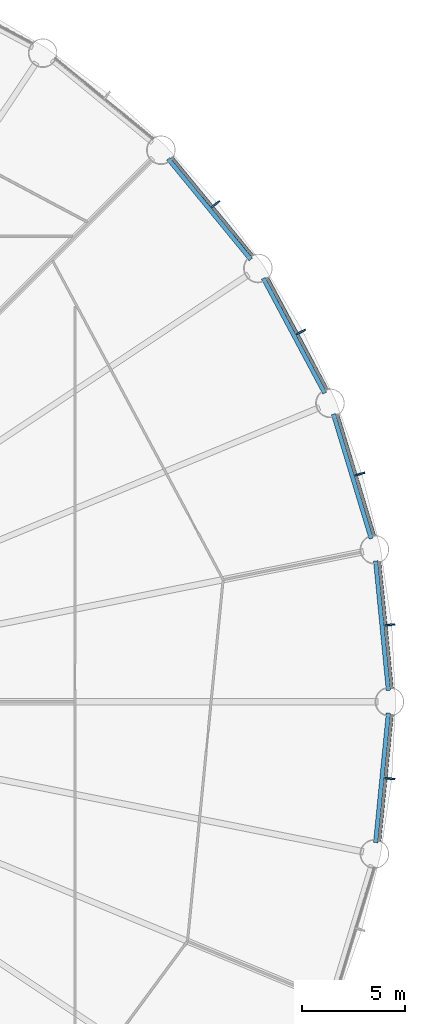
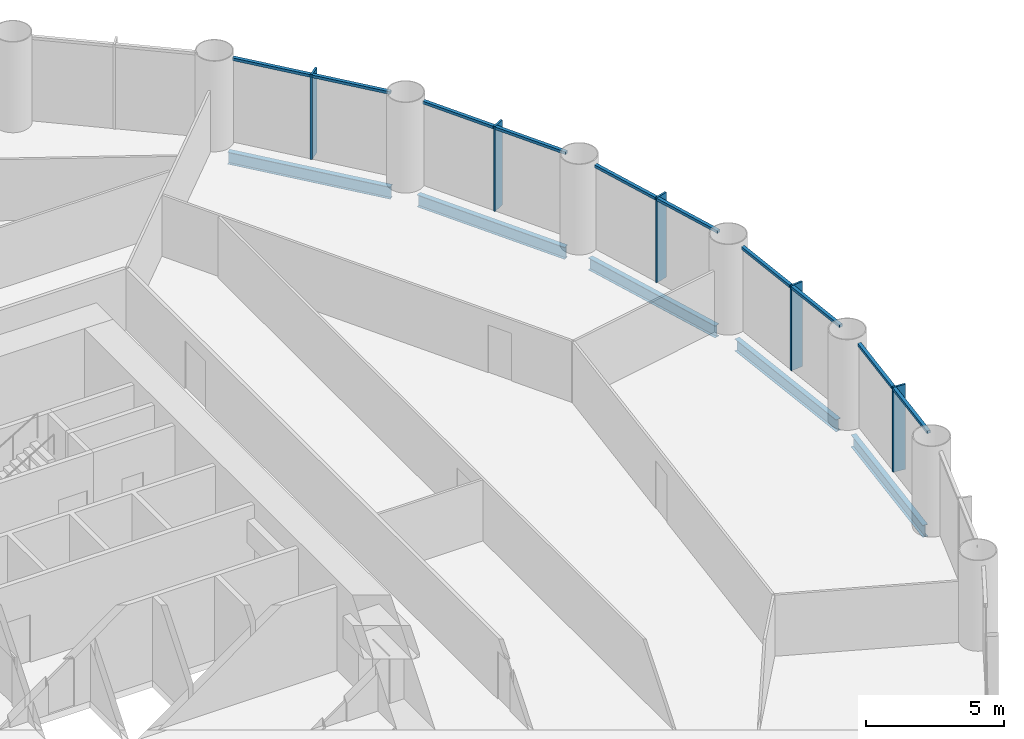
# One storey, part 6 of 15: 15 members, 5 beams, 5 elements without a shape of their own.
"""IFC4 building model written with IfcOpenShell, lengths in metres."""

from ifc_helpers import new_model, si_unit, direction, frame, origin, origin_2d, place, context, subcontext, project, spatial, rectangle, i_section, extrude, material, material_profile, profile_set, type_object, element, aggregate, save


model = new_model("IFC4")

# Units and contexts
model_context = context("Model", 3, precision=1e-05, world=origin(), true_north=direction((0.0, 1.0)))
body_context = subcontext(model_context, "Body", "Model", "MODEL_VIEW")
ifc_project = project(units=[si_unit("LENGTHUNIT", "METRE"), si_unit("AREAUNIT", "SQUARE_METRE"), si_unit("VOLUMEUNIT", "CUBIC_METRE"), si_unit("PLANEANGLEUNIT", "RADIAN"), si_unit("MASSUNIT", "GRAM", prefix="KILO")], contexts=[model_context])

# Site, building, storey
site_placement = place(None, origin())
site = spatial("IfcSite", under=ifc_project, at=site_placement, CompositionType="ELEMENT")
building_placement = place(site_placement, origin())
building = spatial("IfcBuilding", under=site, at=building_placement, Name="Corvane Civic Tower", CompositionType="ELEMENT")
storey_placement = place(building_placement, frame((0.0, 0.0, 41.0)))
storey = spatial("IfcBuildingStorey", under=building, at=storey_placement, Name="L08", CompositionType="ELEMENT", Elevation=41.0)

# Beams
ifc_material_1 = material(Name="Steel ASTM A992 Gr 50", Category="steel")
ifc_material_profile_1 = material_profile(ifc_material_1, i_section(OverallWidth=0.209228515625, OverallDepth=0.533447265625, WebThickness=0.01025390625, FlangeThickness=0.015625, at=origin_2d()), Name="W21X62")
ifc_profile_set_1 = profile_set([ifc_material_profile_1], Name="Steel ASTM A992 Gr 50")
beam_type = type_object("IfcBeamType", Name="EDGE BEAM W21X62", PredefinedType="BEAM", material=ifc_profile_set_1)
beam_placement = place(storey_placement, frame((27.0068359375, 26.23291015625, -0.566650390625), z_axis=(0.634386787141, -0.773015785286, 0.0), x_axis=(0.773015785286, 0.634386787141, 0.0)))
element("IfcBeam", 1, at=beam_placement, inside=storey, type_object=beam_type, Name="BM-L08-E05", PredefinedType="BEAM", context=body_context, shape_type="SweptSolid", body=[
    extrude(i_section(OverallWidth=0.209228515625, OverallDepth=0.533447265625, WebThickness=0.01025390625, FlangeThickness=0.015625, at=origin_2d()), origin(), (0.0, 0.0, 1.0), 6.290771484375),
])
for number, where, z_axis, x_axis, name in (
    (2, (31.605712890625, 20.4599609375, -0.566650390625), (0.471405897311, -0.881916367906, 0.0), (0.881916367906, 0.471405897311, 0.0), "BM-L08-E06"),
    (3, (34.989990234375, 13.90087890625, -0.566650390625), (0.290273452184, -0.956943740748, 0.0), (0.956943740748, 0.290273452184, 0.0), "BM-L08-E07"),
):
    element("IfcBeam", number, at=place(storey_placement, frame(where, z_axis=z_axis, x_axis=x_axis)), inside=storey, type_object=beam_type, Name=name, PredefinedType="BEAM", context=body_context, shape_type="SweptSolid", body=[
        extrude(i_section(OverallWidth=0.209228515625, OverallDepth=0.533447265625, WebThickness=0.01025390625, FlangeThickness=0.015625, at=origin_2d()), origin(), (0.0, 0.0, 1.0), 6.290283203125),
    ])
for number, where, z_axis, x_axis, name in (
    (4, (37.029541015625, 6.8076171875, -0.566650390625), (0.097997284622, -0.995186682089, 0.0), (0.995186682089, 0.097997284622, 0.0), "BM-L08-E08"),
    (5, (37.64599609375, -0.54736328125, -0.566650390625), (-0.097997284622, -0.995186682089, 0.0), (0.995186682089, -0.097997284622, 0.0), "BM-L08-E09"),
):
    element("IfcBeam", number, at=place(storey_placement, frame(where, z_axis=z_axis, x_axis=x_axis)), inside=storey, type_object=beam_type, Name=name, PredefinedType="BEAM", context=body_context, shape_type="SweptSolid", body=[
        extrude(i_section(OverallWidth=0.209228515625, OverallDepth=0.533447265625, WebThickness=0.01025390625, FlangeThickness=0.015625, at=origin_2d()), origin(), (0.0, 0.0, 1.0), 6.29052734375),
    ])

# Curtain wall, members
ifc_material_2 = material(Name="Anodised aluminium bronze", Category="aluminium")
curtain_wall_type = type_object("IfcCurtainWallType", Name="TOWER CW-T1 STICK CURTAIN WALL", PredefinedType="NOTDEFINED", material=ifc_material_2)
curtain_wall_1_placement = place(storey_placement, origin())
curtain_wall_1 = element("IfcCurtainWall", 6, at=curtain_wall_1_placement, inside=storey, type_object=curtain_wall_type, Name="Curtain wall CW-T1 L08 bay 05", PredefinedType="NOTDEFINED")
ifc_material_3 = material(Name="Anodised aluminium bronze", Category="aluminium")
ifc_material_profile_2 = material_profile(ifc_material_3, rectangle(XDim=0.139892578125, YDim=0.1201171875, at=origin_2d()), Name="TOWER CW-T1 TRANSOM 140x120")
ifc_profile_set_2 = profile_set([ifc_material_profile_2], Name="Anodised aluminium bronze")
member_type_1 = type_object("IfcMemberType", Name="TOWER CW-T1 TRANSOM 140x120", PredefinedType="USERDEFINED", material=ifc_profile_set_2)
member_1_placement = place(storey_placement, frame((27.20654296875, 26.271728515625, 3.68994140625), z_axis=(0.634403652865, -0.773001943873, 0.0), x_axis=(0.773001943873, 0.634403652865, 0.0)))
member_1 = element("IfcMember", 7, at=member_1_placement, type_object=member_type_1, Name="Transom CW-T1 L08 05.1", ObjectType="TRANSOM", PredefinedType="USERDEFINED", context=body_context, shape_type="SweptSolid", body=[
    extrude(rectangle(XDim=0.139892578125, YDim=0.1201171875, at=origin_2d()), origin(), (0.0, 0.0, 1.0), 3.008544921875),
])
member_2_placement = place(storey_placement, frame((29.166015625, 23.88427734375, 3.68994140625), z_axis=(0.634355161466, -0.773041738279, 0.0), x_axis=(0.773041738279, 0.634355161466, 0.0)))
member_2 = element("IfcMember", 8, at=member_2_placement, type_object=member_type_1, Name="Transom CW-T1 L08 05.2", ObjectType="TRANSOM", PredefinedType="USERDEFINED", context=body_context, shape_type="SweptSolid", body=[
    extrude(rectangle(XDim=0.139892578125, YDim=0.1201171875, at=origin_2d()), origin(), (0.0, 0.0, 1.0), 3.008544921875),
])

curtain_wall_2_placement = place(storey_placement, origin())
curtain_wall_2 = element("IfcCurtainWall", 9, at=curtain_wall_2_placement, inside=storey, type_object=curtain_wall_type, Name="Curtain wall CW-T1 L08 bay 06", PredefinedType="NOTDEFINED")
member_3_placement = place(storey_placement, frame((31.809326171875, 20.459228515625, 3.68994140625), z_axis=(0.471392506424, -0.881923525532, 0.0), x_axis=(0.881923525532, 0.471392506424, 0.0)))
member_3 = element("IfcMember", 10, at=member_3_placement, type_object=member_type_1, Name="Transom CW-T1 L08 06.1", ObjectType="TRANSOM", PredefinedType="USERDEFINED", context=body_context, shape_type="SweptSolid", body=[
    extrude(rectangle(XDim=0.139892578125, YDim=0.1201171875, at=origin_2d()), origin(), (0.0, 0.0, 1.0), 3.008544921875),
])
member_4_placement = place(storey_placement, frame((33.26513671875, 17.7353515625, 3.68994140625), z_axis=(0.471392506424, -0.881923525532, 0.0), x_axis=(0.881923525532, 0.471392506424, 0.0)))
member_4 = element("IfcMember", 11, at=member_4_placement, type_object=member_type_1, Name="Transom CW-T1 L08 06.2", ObjectType="TRANSOM", PredefinedType="USERDEFINED", context=body_context, shape_type="SweptSolid", body=[
    extrude(rectangle(XDim=0.139892578125, YDim=0.1201171875, at=origin_2d()), origin(), (0.0, 0.0, 1.0), 3.008544921875),
])

curtain_wall_3_placement = place(storey_placement, origin())
curtain_wall_3 = element("IfcCurtainWall", 12, at=curtain_wall_3_placement, inside=storey, type_object=curtain_wall_type, Name="Curtain wall CW-T1 L08 bay 07", PredefinedType="NOTDEFINED")
member_5_placement = place(storey_placement, frame((35.189453125, 13.8603515625, 3.68994140625), z_axis=(0.290279914268, -0.956941780555, 0.0), x_axis=(0.956941780555, 0.290279914268, 0.0)))
member_5 = element("IfcMember", 13, at=member_5_placement, type_object=member_type_1, Name="Transom CW-T1 L08 07.1", ObjectType="TRANSOM", PredefinedType="USERDEFINED", context=body_context, shape_type="SweptSolid", body=[
    extrude(rectangle(XDim=0.139892578125, YDim=0.1201171875, at=origin_2d()), origin(), (0.0, 0.0, 1.0), 3.008544921875),
])
member_6_placement = place(storey_placement, frame((36.0859375, 10.90478515625, 3.68994140625), z_axis=(0.290279914268, -0.956941780555, 0.0), x_axis=(0.956941780555, 0.290279914268, 0.0)))
member_6 = element("IfcMember", 14, at=member_6_placement, type_object=member_type_1, Name="Transom CW-T1 L08 07.2", ObjectType="TRANSOM", PredefinedType="USERDEFINED", context=body_context, shape_type="SweptSolid", body=[
    extrude(rectangle(XDim=0.139892578125, YDim=0.1201171875, at=origin_2d()), origin(), (0.0, 0.0, 1.0), 3.008544921875),
])

curtain_wall_4_placement = place(storey_placement, origin())
curtain_wall_4 = element("IfcCurtainWall", 15, at=curtain_wall_4_placement, inside=storey, type_object=curtain_wall_type, Name="Curtain wall CW-T1 L08 bay 08", PredefinedType="NOTDEFINED")
member_7_placement = place(storey_placement, frame((37.21728515625, 6.72900390625, 3.68994140625), z_axis=(0.097944923917, -0.995191836722, 0.0), x_axis=(0.995191836722, 0.097944923917, 0.0)))
member_7 = element("IfcMember", 16, at=member_7_placement, type_object=member_type_1, Name="Transom CW-T1 L08 08.1", ObjectType="TRANSOM", PredefinedType="USERDEFINED", context=body_context, shape_type="SweptSolid", body=[
    extrude(rectangle(XDim=0.139892578125, YDim=0.1201171875, at=origin_2d()), origin(), (0.0, 0.0, 1.0), 3.008544921875),
])
member_8_placement = place(storey_placement, frame((37.52001953125, 3.6552734375, 3.68994140625), z_axis=(0.097944923917, -0.995191836722, 0.0), x_axis=(0.995191836722, 0.097944923917, 0.0)))
member_8 = element("IfcMember", 17, at=member_8_placement, type_object=member_type_1, Name="Transom CW-T1 L08 08.2", ObjectType="TRANSOM", PredefinedType="USERDEFINED", context=body_context, shape_type="SweptSolid", body=[
    extrude(rectangle(XDim=0.139892578125, YDim=0.1201171875, at=origin_2d()), origin(), (0.0, 0.0, 1.0), 3.008544921875),
])

curtain_wall_5_placement = place(storey_placement, origin())
curtain_wall_5 = element("IfcCurtainWall", 18, at=curtain_wall_5_placement, inside=storey, type_object=curtain_wall_type, Name="Curtain wall CW-T1 L08 bay 09", PredefinedType="NOTDEFINED")
member_9_placement = place(storey_placement, frame((37.814697265625, -0.6611328125, 3.68994140625), z_axis=(-0.097944923917, -0.995191836722, 0.0), x_axis=(0.995191836722, -0.097944923917, 0.0)))
member_9 = element("IfcMember", 19, at=member_9_placement, type_object=member_type_1, Name="Transom CW-T1 L08 09.1", ObjectType="TRANSOM", PredefinedType="USERDEFINED", context=body_context, shape_type="SweptSolid", body=[
    extrude(rectangle(XDim=0.139892578125, YDim=0.1201171875, at=origin_2d()), origin(), (0.0, 0.0, 1.0), 3.008544921875),
])
member_10_placement = place(storey_placement, frame((37.511962890625, -3.73486328125, 3.68994140625), z_axis=(-0.097944923917, -0.995191836722, 0.0), x_axis=(0.995191836722, -0.097944923917, 0.0)))
member_10 = element("IfcMember", 20, at=member_10_placement, type_object=member_type_1, Name="Transom CW-T1 L08 09.2", ObjectType="TRANSOM", PredefinedType="USERDEFINED", context=body_context, shape_type="SweptSolid", body=[
    extrude(rectangle(XDim=0.139892578125, YDim=0.1201171875, at=origin_2d()), origin(), (0.0, 0.0, 1.0), 3.008544921875),
])

# Member
ifc_material_4 = material(Name="Anodised aluminium bronze", Category="aluminium")
ifc_material_profile_3 = material_profile(ifc_material_4, rectangle(XDim=0.080078125, YDim=0.5, at=origin_2d()), Name="TOWER FIN MULLION 80x500 BRONZE")
ifc_profile_set_3 = profile_set([ifc_material_profile_3], Name="Anodised aluminium bronze")
member_type_2 = type_object("IfcMemberType", Name="TOWER FIN MULLION 80x500 BRONZE", PredefinedType="MULLION", material=ifc_profile_set_3)
member_11_placement = place(storey_placement, frame((29.295166015625, 24.0419921875, 0.0), z_axis=(0.0, 0.0, 1.0), x_axis=(0.634397218569, -0.773007224463, 0.0)))
member_11 = element("IfcMember", 21, at=member_11_placement, type_object=member_type_2, Name="Fin mullion 05 L08", PredefinedType="MULLION", context=body_context, shape_type="SweptSolid", body=[
    extrude(rectangle(XDim=0.080078125, YDim=0.5, at=origin_2d()), origin(), (0.0, 0.0, 1.0), 3.75),
])

aggregate(curtain_wall_1, [member_11, member_1, member_2])

member_12_placement = place(storey_placement, frame((33.422607421875, 17.86474609375, 0.0), z_axis=(0.0, 0.0, 1.0), x_axis=(0.471403725359, -0.881917528864, 0.0)))
member_12 = element("IfcMember", 22, at=member_12_placement, type_object=member_type_2, Name="Fin mullion 06 L08", PredefinedType="MULLION", context=body_context, shape_type="SweptSolid", body=[
    extrude(rectangle(XDim=0.080078125, YDim=0.5, at=origin_2d()), origin(), (0.0, 0.0, 1.0), 3.75),
])

aggregate(curtain_wall_2, [member_12, member_3, member_4])

member_13_placement = place(storey_placement, frame((36.265625, 11.001220703125, 0.0), z_axis=(0.0, 0.0, 1.0), x_axis=(0.290278397654, -0.956942240606, 0.0)))
member_13 = element("IfcMember", 23, at=member_13_placement, type_object=member_type_2, Name="Fin mullion 07 L08", PredefinedType="MULLION", context=body_context, shape_type="SweptSolid", body=[
    extrude(rectangle(XDim=0.080078125, YDim=0.5, at=origin_2d()), origin(), (0.0, 0.0, 1.0), 3.75),
])

aggregate(curtain_wall_3, [member_13, member_5, member_6])

member_14_placement = place(storey_placement, frame((37.715087890625, 3.714599609375, 0.0), z_axis=(0.0, 0.0, 1.0), x_axis=(0.098006239521, -0.995185800248, 0.0)))
member_14 = element("IfcMember", 24, at=member_14_placement, type_object=member_type_2, Name="Fin mullion 08 L08", PredefinedType="MULLION", context=body_context, shape_type="SweptSolid", body=[
    extrude(rectangle(XDim=0.080078125, YDim=0.5, at=origin_2d()), origin(), (0.0, 0.0, 1.0), 3.75),
])

aggregate(curtain_wall_4, [member_14, member_7, member_8])

member_15_placement = place(storey_placement, frame((37.715087890625, -3.714599609375, 0.0), z_axis=(0.0, 0.0, 1.0), x_axis=(-0.098006239521, -0.995185800248, 0.0)))
member_15 = element("IfcMember", 25, at=member_15_placement, type_object=member_type_2, Name="Fin mullion 09 L08", PredefinedType="MULLION", context=body_context, shape_type="SweptSolid", body=[
    extrude(rectangle(XDim=0.080078125, YDim=0.5, at=origin_2d()), origin(), (0.0, 0.0, 1.0), 3.75),
])

aggregate(curtain_wall_5, [member_15, member_9, member_10])

save(model, "model.ifc")
